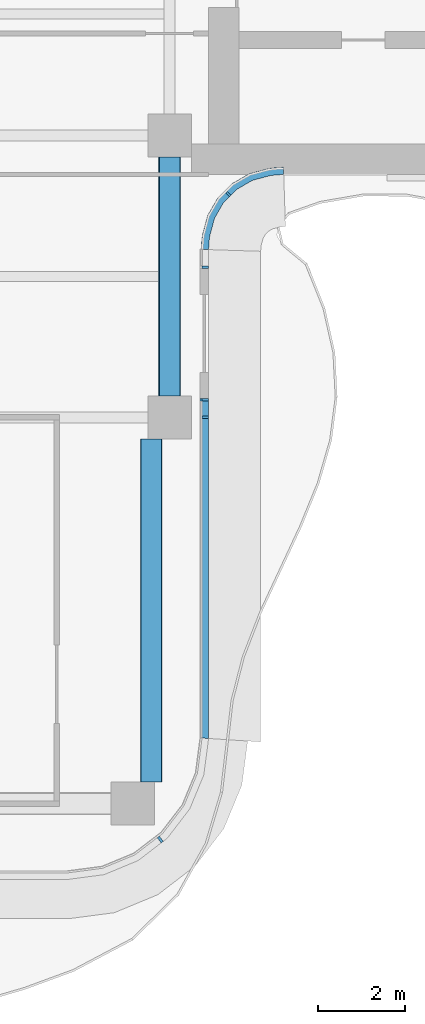
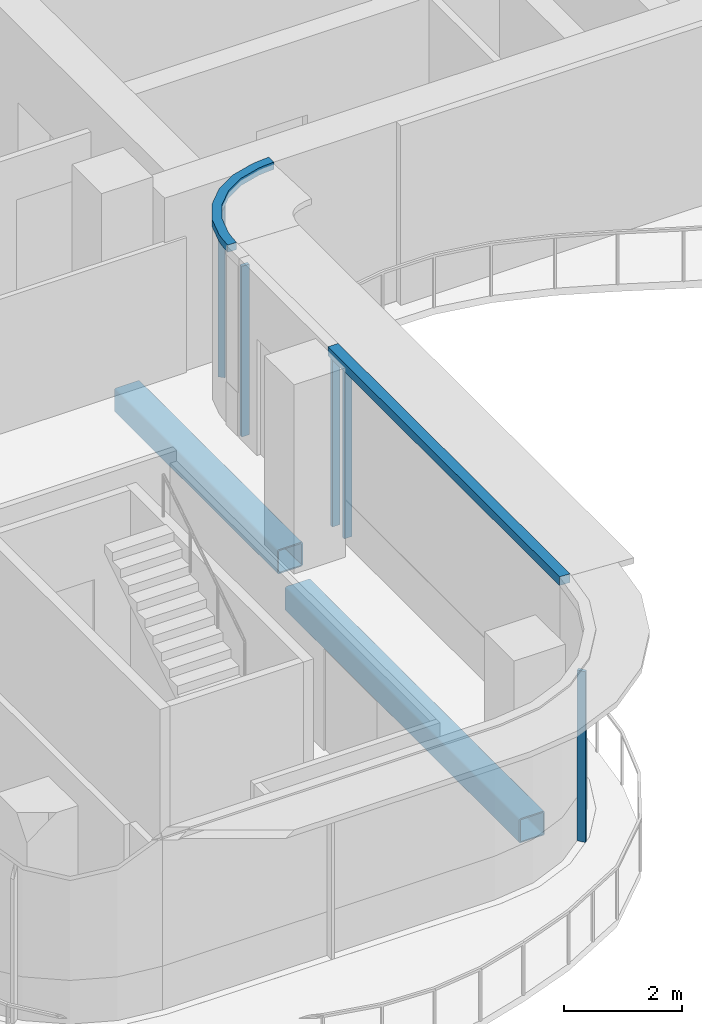
# One storey, part 5 of 17: 7 members, 2 beams, 4 elements without a shape of their own.
"""IFC4 building model written with IfcOpenShell, lengths in metres."""

from ifc_helpers import new_model, si_unit, direction, frame, origin, origin_2d, place, context, subcontext, project, spatial, polyline, rectangle, hollow_rectangle, outline, extrude, source, transform, mapped, material, layer, layer_set, material_profile, profile_set, type_object, element, aggregate, save


model = new_model("IFC4")

# Units and contexts
model_context = context("Model", 3, precision=1e-05, world=origin(), true_north=direction((0.0, 1.0)))
body_context = subcontext(model_context, "Body", "Model", "MODEL_VIEW")
ifc_project = project(units=[si_unit("LENGTHUNIT", "METRE"), si_unit("AREAUNIT", "SQUARE_METRE"), si_unit("VOLUMEUNIT", "CUBIC_METRE"), si_unit("PLANEANGLEUNIT", "RADIAN"), si_unit("MASSUNIT", "GRAM", prefix="KILO")], contexts=[model_context])

# Site, building, storey
site_placement = place(None, origin())
site = spatial("IfcSite", under=ifc_project, at=site_placement, CompositionType="ELEMENT")
building_placement = place(site_placement, origin())
building = spatial("IfcBuilding", under=site, at=building_placement, Name="Trellis Farm Tower", CompositionType="ELEMENT")
storey_placement = place(building_placement, frame((0.0, 0.0, 279.39990234375)))
storey = spatial("IfcBuildingStorey", under=building, at=storey_placement, Name="L62", CompositionType="ELEMENT", Elevation=279.39990234375)

# Curtain wall, member
ifc_material_1 = material(Name="Aluminium and glass curtain wall", Category="aluminium")
ifc_layer_1 = layer(ifc_material_1, 0.18994140625)
ifc_layer_set_1 = layer_set([ifc_layer_1], Name="RIBBON CURTAIN WALL CW1")
curtain_wall_type_1 = type_object("IfcCurtainWallType", Name="RIBBON CURTAIN WALL CW1", PredefinedType="NOTDEFINED", material=ifc_layer_set_1)
placement = place(storey_placement, origin())
curtain_wall_1 = element("IfcCurtainWall", 1, at=placement, inside=storey, type_object=curtain_wall_type_1, Name="CW1 004", PredefinedType="NOTDEFINED")
ifc_material_2 = material(Name="Aluminium extrusion 6063-T6", Category="aluminium")
ifc_layer_2 = layer(ifc_material_2, 0.199951171875)
ifc_layer_set_2 = layer_set([ifc_layer_2], Name="Aluminium extrusion 6063-T6")
member_type_1 = type_object("IfcMemberType", Name="CW1 TRANSOM 200x180", PredefinedType="USERDEFINED", material=ifc_layer_set_2)
member_1_placement = place(storey_placement, frame((0.0, 0.0, 3.52001953125)))
member_1 = element("IfcMember", 2, at=member_1_placement, type_object=member_type_1, Name="TR1 004", ObjectType="TRANSOM", PredefinedType="USERDEFINED", context=body_context, shape_type="SweptSolid", body=[
    extrude(outline(polyline([(6.5, -19.5), (6.5, -11.665771484375), (6.300048828125, -11.665771484375), (6.300048828125, -19.48681640625), (6.5, -19.5)])), origin(), (0.0, 0.0, 1.0), 0.18017578125),
])

# Beams
ifc_material_3 = material(Name="Steel S355", Category="steel")
ifc_material_profile_1 = material_profile(ifc_material_3, hollow_rectangle(XDim=0.5, YDim=0.5, WallThickness=0.02490234375, InnerFilletRadius=0.02490234375, OuterFilletRadius=0.03759765625, at=origin_2d()), Name="SHS 500x500x25")
ifc_profile_set_1 = profile_set([ifc_material_profile_1], Name="Steel S355")
beam_type = type_object("IfcBeamType", Name="SHS 500x500x25", PredefinedType="BEAM", material=ifc_profile_set_1)
shared_shape_1 = source(origin(), body_context, "Body", "SweptSolid", [
    extrude(hollow_rectangle(XDim=0.5, YDim=0.5, WallThickness=0.02490234375, InnerFilletRadius=0.02490234375, OuterFilletRadius=0.03759765625, at=origin_2d()), origin(), (0.0, 0.0, 1.0), 5.5),
])
beam_1_placement = place(storey_placement, frame((5.60009765625, -11.60009765625, -0.449951171875), z_axis=(0.0, 1.0, 0.0), x_axis=(-1.0, 0.0, 0.0)))
element("IfcBeam", 3, at=beam_1_placement, inside=storey, type_object=beam_type, Name="Girder", PredefinedType="BEAM", context=body_context, shape_type="MappedRepresentation", body=[
    mapped(shared_shape_1, transform((0.0, 0.0, 0.0))),
])
shared_shape_2 = source(origin(), body_context, "Body", "SweptSolid", [
    extrude(hollow_rectangle(XDim=0.5, YDim=0.5, WallThickness=0.02490234375, InnerFilletRadius=0.02490234375, OuterFilletRadius=0.03759765625, at=origin_2d()), origin(), (0.0, 0.0, 1.0), 7.89990234375),
])
beam_2_placement = place(storey_placement, frame((5.175048828125, -20.5, -0.449951171875), z_axis=(0.0, 1.0, 0.0), x_axis=(-1.0, 0.0, 0.0)))
element("IfcBeam", 4, at=beam_2_placement, inside=storey, type_object=beam_type, Name="Girder", PredefinedType="BEAM", context=body_context, shape_type="MappedRepresentation", body=[
    mapped(shared_shape_2, transform((0.0, 0.0, 0.0))),
])

# Curtain wall, member
curtain_wall_2 = element("IfcCurtainWall", 5, at=placement, inside=storey, type_object=curtain_wall_type_1, Name="CW1 003", PredefinedType="NOTDEFINED")
ifc_material_profile_2 = material_profile(ifc_material_2, rectangle(XDim=0.06005859375, YDim=0.14990234375, at=origin_2d()), Name="MULLION 60x150")
ifc_profile_set_2 = profile_set([ifc_material_profile_2], Name="Aluminium extrusion 6063-T6")
member_type_2 = type_object("IfcMemberType", Name="CW1 MULLION 60x150", PredefinedType="MULLION", material=ifc_profile_set_2)
shared_shape_3 = source(origin(), body_context, "Body", "SweptSolid", [
    extrude(rectangle(XDim=0.06005859375, YDim=0.14990234375, at=origin_2d()), origin(), (0.0, 0.0, 1.0), 3.52001953125),
])
member_2_placement = place(storey_placement, frame((5.385498046875, -21.828369140625, 0.0), z_axis=(0.0, 0.0, 1.0), x_axis=(0.793353340291, 0.608761429009, 0.0)))
member_2 = element("IfcMember", 6, at=member_2_placement, type_object=member_type_2, Name="MU1 003-02", PredefinedType="MULLION", context=body_context, shape_type="MappedRepresentation", body=[
    mapped(shared_shape_3, transform((0.0, 0.0, 0.0))),
])
aggregate(curtain_wall_2, [member_2])

# Member
member_3_placement = place(storey_placement, frame((6.425048828125, -12.10009765625, 0.0), z_axis=(0.0, 0.0, 1.0), x_axis=(0.0, 1.0, 0.0)))
member_3 = element("IfcMember", 7, at=member_3_placement, type_object=member_type_2, Name="MU1 004-01", PredefinedType="MULLION", context=body_context, shape_type="MappedRepresentation", body=[
    mapped(shared_shape_3, transform((0.0, 0.0, 0.0))),
])

member_4_placement = place(storey_placement, frame((6.425048828125, -11.69580078125, 0.0), z_axis=(0.0, 0.0, 1.0), x_axis=(0.0, 1.0, 0.0)))
member_4 = element("IfcMember", 8, at=member_4_placement, type_object=member_type_2, Name="MU1 004-02", PredefinedType="MULLION", context=body_context, shape_type="MappedRepresentation", body=[
    mapped(shared_shape_3, transform((0.0, 0.0, 0.0))),
])

aggregate(curtain_wall_1, [member_3, member_4, member_1])

# Curtain wall, member
curtain_wall_3 = element("IfcCurtainWall", 9, at=placement, inside=storey, type_object=curtain_wall_type_1, Name="CW1 005", PredefinedType="NOTDEFINED")
member_5_placement = place(storey_placement, frame((6.425048828125, -8.6357421875, 0.0), z_axis=(0.0, 0.0, 1.0), x_axis=(0.0, 1.0, 0.0)))
member_5 = element("IfcMember", 10, at=member_5_placement, type_object=member_type_2, Name="MU1 005-01", PredefinedType="MULLION", context=body_context, shape_type="MappedRepresentation", body=[
    mapped(shared_shape_3, transform((0.0, 0.0, 0.0))),
])
aggregate(curtain_wall_3, [member_5])

# Curtain wall, members
ifc_layer_3 = layer(ifc_material_1, 0.166015625)
ifc_layer_set_3 = layer_set([ifc_layer_3], Name="WINTER GARDEN CURTAIN WALL CW3")
curtain_wall_type_2 = type_object("IfcCurtainWallType", Name="WINTER GARDEN CURTAIN WALL CW3", PredefinedType="NOTDEFINED", material=ifc_layer_set_3)
curtain_wall_4 = element("IfcCurtainWall", 11, at=placement, inside=storey, type_object=curtain_wall_type_2, Name="CW3 002", PredefinedType="NOTDEFINED")
ifc_material_profile_3 = material_profile(ifc_material_2, rectangle(XDim=0.050048828125, YDim=0.1201171875, at=origin_2d()), Name="MULLION 50x120")
ifc_profile_set_3 = profile_set([ifc_material_profile_3], Name="Aluminium extrusion 6063-T6")
member_type_3 = type_object("IfcMemberType", Name="CW3 MULLION 50x120", PredefinedType="MULLION", material=ifc_profile_set_3)
shared_shape_4 = source(origin(), body_context, "Body", "SweptSolid", [
    extrude(rectangle(XDim=0.050048828125, YDim=0.1201171875, at=origin_2d()), origin(), (0.0, 0.0, 1.0), 3.550048828125),
])
member_6_placement = place(storey_placement, frame((6.953125, -6.953125, 0.0), z_axis=(0.0, 0.0, 1.0), x_axis=(0.707106781187, 0.707106781187, 0.0)))
member_6 = element("IfcMember", 12, at=member_6_placement, type_object=member_type_3, Name="MU3 002-01", PredefinedType="MULLION", context=body_context, shape_type="MappedRepresentation", body=[
    mapped(shared_shape_4, transform((0.0, 0.0, 0.0))),
])
ifc_layer_4 = layer(ifc_material_2, 0.169921875)
ifc_layer_set_4 = layer_set([ifc_layer_4], Name="Aluminium extrusion 6063-T6")
member_type_4 = type_object("IfcMemberType", Name="CW3 TRANSOM 170x150", PredefinedType="USERDEFINED", material=ifc_layer_set_4)
shared_shape_5 = source(origin(), body_context, "Body", "SweptSolid", [
    extrude(outline(polyline([(6.5, -8.2314453125), (6.513916015625, -8.01953125), (6.527587890625, -7.91552734375), (6.63671875, -7.508544921875), (6.846923828125, -7.144287109375), (7.144287109375, -6.846923828125), (7.508544921875, -6.63671875), (7.91552734375, -6.527587890625), (8.01953125, -6.513916015625), (8.2314453125, -6.5), (8.225830078125, -6.330078125), (8.0029296875, -6.3447265625), (7.88232421875, -6.360595703125), (7.44287109375, -6.478271484375), (7.0400390625, -6.7109375), (6.7109375, -7.0400390625), (6.478271484375, -7.44287109375), (6.360595703125, -7.88232421875), (6.3447265625, -8.0029296875), (6.330078125, -8.225830078125), (6.5, -8.2314453125)])), origin(), (0.0, 0.0, 1.0), 0.150146484375),
])
member_7_placement = place(storey_placement, frame((0.0, 0.0, 3.550048828125)))
member_7 = element("IfcMember", 13, at=member_7_placement, type_object=member_type_4, Name="TR3 002", ObjectType="TRANSOM", PredefinedType="USERDEFINED", context=body_context, shape_type="MappedRepresentation", body=[
    mapped(shared_shape_5, transform((0.0, 0.0, 0.0))),
])
aggregate(curtain_wall_4, [member_6, member_7])

save(model, "model.ifc")
